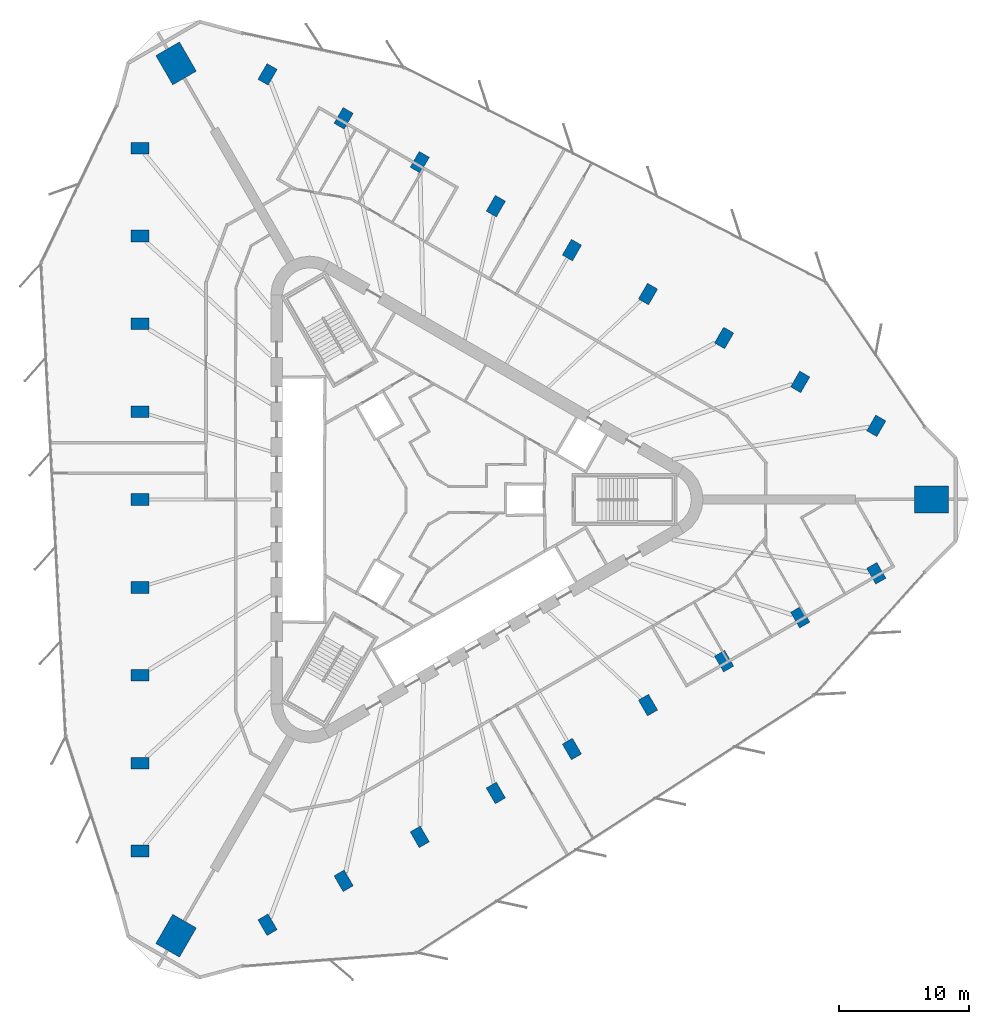
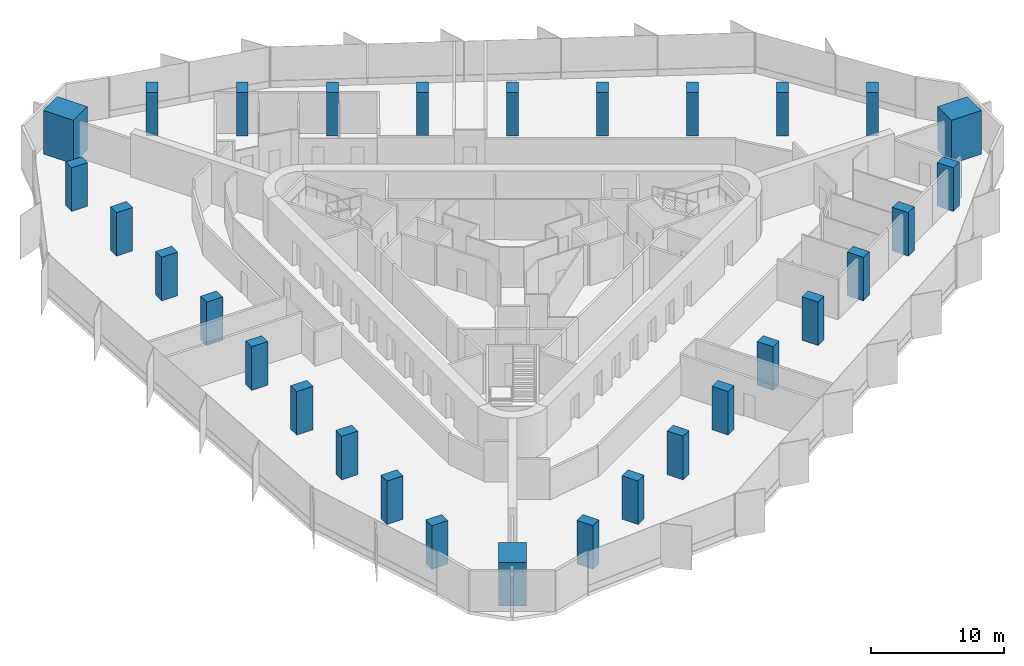
# One storey, part 1 of 14: 30 columns.
"""IFC4 building model written with IfcOpenShell, lengths in metres."""

from ifc_helpers import new_model, si_unit, direction, frame, origin, origin_2d, place, context, subcontext, project, spatial, rectangle, extrude, material, material_profile, profile_set, type_object, element, save


model = new_model("IFC4")

# Units and contexts
model_context = context("Model", 3, precision=1e-05, world=origin(), true_north=direction((0.0, 1.0)))
body_context = subcontext(model_context, "Body", "Model", "MODEL_VIEW")
ifc_project = project(units=[si_unit("LENGTHUNIT", "METRE"), si_unit("AREAUNIT", "SQUARE_METRE"), si_unit("VOLUMEUNIT", "CUBIC_METRE"), si_unit("PLANEANGLEUNIT", "RADIAN"), si_unit("MASSUNIT", "GRAM", prefix="KILO")], contexts=[model_context])

# Site, building, storey
site_placement = place(None, origin())
site = spatial("IfcSite", under=ifc_project, at=site_placement, CompositionType="ELEMENT")
building_placement = place(site_placement, origin())
building = spatial("IfcBuilding", under=site, at=building_placement, Name="Tanit Gate Tower", CompositionType="ELEMENT")
storey_placement = place(building_placement, frame((0.0, 0.0, 209.199951171875)))
storey = spatial("IfcBuildingStorey", under=building, at=storey_placement, Name="L46", CompositionType="ELEMENT", Elevation=209.199951171875)

# Columns
ifc_material_1 = material(Name="Concrete C60/75", Category="concrete")
ifc_material_profile_1 = material_profile(ifc_material_1, rectangle(XDim=2.60009765625, YDim=2.10009765625, at=origin_2d()), Name="RC 2600x2100")
ifc_profile_set_1 = profile_set([ifc_material_profile_1], Name="Concrete C60/75")
column_type_1 = type_object("IfcColumnType", Name="MEGA COLUMN 2600x2100 C60/75", PredefinedType="COLUMN", material=ifc_profile_set_1)
for number, where, z_axis, x_axis, name in (
    (1, (38.81103515625, 0.0, 0.0), (0.0, 0.0, 1.0), (1.0, 0.0, 0.0), "MEGA COLUMN"),
    (2, (-19.405517578125, 33.611328125, 0.0), (0.0, 0.0, 1.0), (-0.5, 0.866025403784, 0.0), "MEGA COLUMN"),
    (3, (-19.405517578125, -33.611328125, 0.0), (0.0, 0.0, 1.0), (-0.5, -0.866025403784, 0.0), "MEGA COLUMN"),
):
    element("IfcColumn", number, at=place(storey_placement, frame(where, z_axis=z_axis, x_axis=x_axis)), inside=storey, type_object=column_type_1, Name=name, PredefinedType="COLUMN", context=body_context, shape_type="SweptSolid", body=[
        extrude(rectangle(XDim=2.60009765625, YDim=2.10009765625, at=origin_2d()), origin(), (0.0, 0.0, 1.0), 4.0),
    ])
ifc_material_2 = material(Name="Concrete C50/60", Category="concrete")
ifc_material_profile_2 = material_profile(ifc_material_2, rectangle(XDim=1.39990234375, YDim=0.89990234375, at=origin_2d()), Name="RC 1400x900")
ifc_profile_set_2 = profile_set([ifc_material_profile_2], Name="Concrete C50/60")
column_type_2 = type_object("IfcColumnType", Name="PERIMETER COLUMN 1400x900 C50/60", PredefinedType="COLUMN", material=ifc_profile_set_2)
for number, where, z_axis, x_axis, name in (
    (4, (-22.197021484375, 27.083984375, 0.0), (0.0, 0.0, 1.0), (-1.0, 0.0, 0.0), "PERIMETER COLUMN"),
    (5, (-22.197021484375, 20.31298828125, 0.0), (0.0, 0.0, 1.0), (-1.0, 0.0, 0.0), "PERIMETER COLUMN"),
    (6, (-22.197021484375, 13.5419921875, 0.0), (0.0, 0.0, 1.0), (-1.0, 0.0, 0.0), "PERIMETER COLUMN"),
    (7, (-22.197021484375, 6.77099609375, 0.0), (0.0, 0.0, 1.0), (-1.0, 0.0, 0.0), "PERIMETER COLUMN"),
    (8, (-22.197021484375, 0.0, 0.0), (0.0, 0.0, 1.0), (-1.0, 0.0, 0.0), "PERIMETER COLUMN"),
    (9, (-22.197021484375, -6.77099609375, 0.0), (0.0, 0.0, 1.0), (-1.0, 0.0, 0.0), "PERIMETER COLUMN"),
    (10, (-22.197021484375, -13.5419921875, 0.0), (0.0, 0.0, 1.0), (-1.0, 0.0, 0.0), "PERIMETER COLUMN"),
    (11, (-22.197021484375, -20.31298828125, 0.0), (0.0, 0.0, 1.0), (-1.0, 0.0, 0.0), "PERIMETER COLUMN"),
    (12, (-22.197021484375, -27.083984375, 0.0), (0.0, 0.0, 1.0), (-1.0, 0.0, 0.0), "PERIMETER COLUMN"),
    (13, (34.5537109375, 5.68115234375, 0.0), (0.0, 0.0, 1.0), (0.5, 0.866025403784, 0.0), "PERIMETER COLUMN"),
    (14, (28.68994140625, 9.066650390625, 0.0), (0.0, 0.0, 1.0), (0.5, 0.866025403784, 0.0), "PERIMETER COLUMN"),
    (15, (22.826171875, 12.4521484375, 0.0), (0.0, 0.0, 1.0), (0.5, 0.866025403784, 0.0), "PERIMETER COLUMN"),
    (16, (16.96240234375, 15.837646484375, 0.0), (0.0, 0.0, 1.0), (0.5, 0.866025403784, 0.0), "PERIMETER COLUMN"),
    (17, (11.098388671875, 19.22314453125, 0.0), (0.0, 0.0, 1.0), (0.5, 0.866025403784, 0.0), "PERIMETER COLUMN"),
    (18, (5.234619140625, 22.608642578125, 0.0), (0.0, 0.0, 1.0), (0.5, 0.866025403784, 0.0), "PERIMETER COLUMN"),
    (19, (-0.629150390625, 25.994140625, 0.0), (0.0, 0.0, 1.0), (0.5, 0.866025403784, 0.0), "PERIMETER COLUMN"),
    (20, (-6.4931640625, 29.379638671875, 0.0), (0.0, 0.0, 1.0), (0.5, 0.866025403784, 0.0), "PERIMETER COLUMN"),
    (21, (-12.35693359375, 32.76513671875, 0.0), (0.0, 0.0, 1.0), (0.5, 0.866025403784, 0.0), "PERIMETER COLUMN"),
    (22, (-12.35693359375, -32.76513671875, 0.0), (0.0, 0.0, 1.0), (0.5, -0.866025403784, 0.0), "PERIMETER COLUMN"),
    (23, (-6.4931640625, -29.379638671875, 0.0), (0.0, 0.0, 1.0), (0.5, -0.866025403784, 0.0), "PERIMETER COLUMN"),
    (24, (-0.629150390625, -25.994140625, 0.0), (0.0, 0.0, 1.0), (0.5, -0.866025403784, 0.0), "PERIMETER COLUMN"),
    (25, (5.234619140625, -22.608642578125, 0.0), (0.0, 0.0, 1.0), (0.5, -0.866025403784, 0.0), "PERIMETER COLUMN"),
    (26, (11.098388671875, -19.22314453125, 0.0), (0.0, 0.0, 1.0), (0.5, -0.866025403784, 0.0), "PERIMETER COLUMN"),
    (27, (16.96240234375, -15.837646484375, 0.0), (0.0, 0.0, 1.0), (0.5, -0.866025403784, 0.0), "PERIMETER COLUMN"),
    (28, (22.826171875, -12.4521484375, 0.0), (0.0, 0.0, 1.0), (0.5, -0.866025403784, 0.0), "PERIMETER COLUMN"),
    (29, (28.68994140625, -9.066650390625, 0.0), (0.0, 0.0, 1.0), (0.5, -0.866025403784, 0.0), "PERIMETER COLUMN"),
    (30, (34.5537109375, -5.68115234375, 0.0), (0.0, 0.0, 1.0), (0.5, -0.866025403784, 0.0), "PERIMETER COLUMN"),
):
    element("IfcColumn", number, at=place(storey_placement, frame(where, z_axis=z_axis, x_axis=x_axis)), inside=storey, type_object=column_type_2, Name=name, PredefinedType="COLUMN", context=body_context, shape_type="SweptSolid", body=[
        extrude(rectangle(XDim=1.39990234375, YDim=0.89990234375, at=origin_2d()), origin(), (0.0, 0.0, 1.0), 4.0),
    ])

save(model, "model.ifc")
